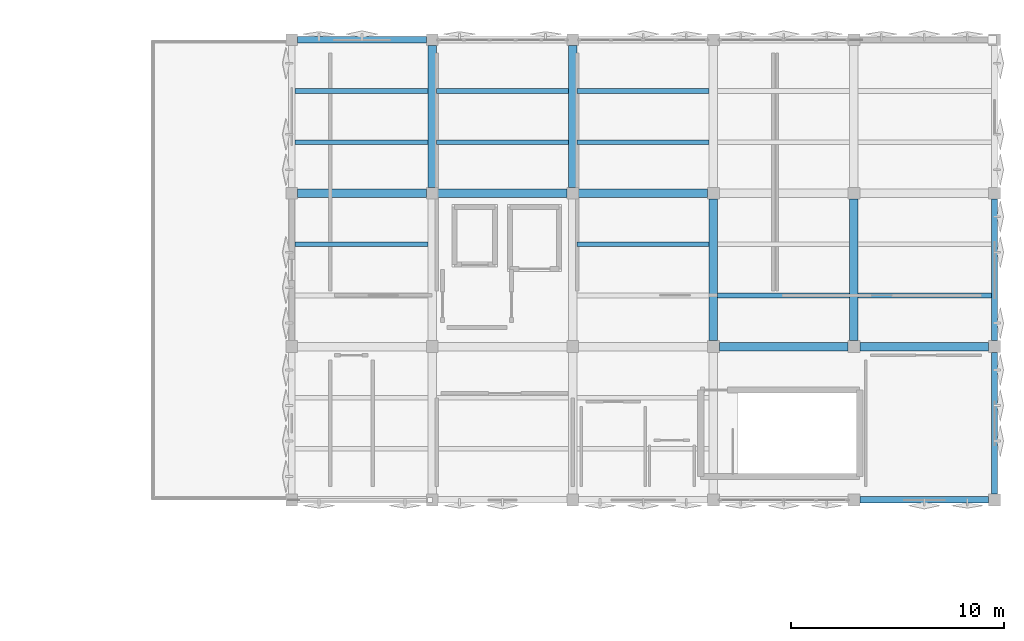
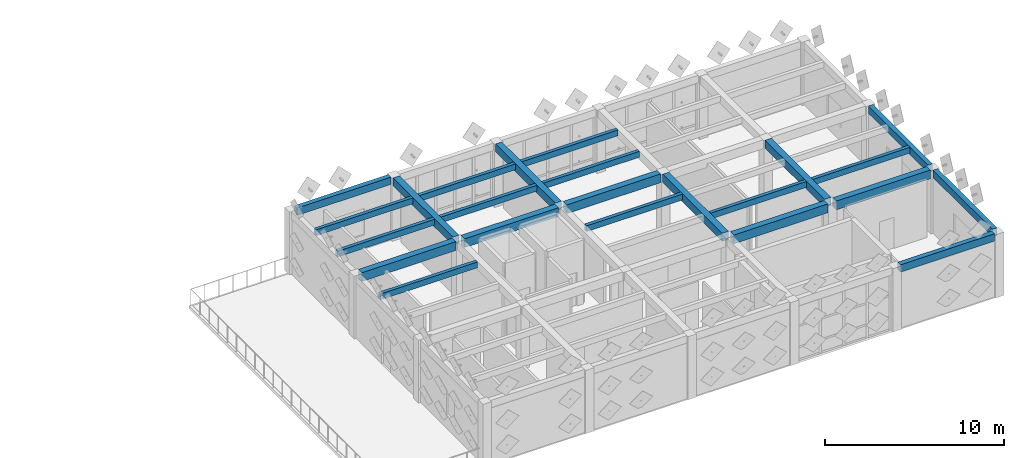
# One storey, part 11 of 29: 23 beams.
"""IFC4 building model written with IfcOpenShell, lengths in metres."""

from ifc_helpers import new_model, si_unit, direction, frame, origin, origin_2d, place, context, subcontext, project, spatial, rectangle, extrude, material, material_profile, profile_set, type_object, element, save


model = new_model("IFC4")

# Units and contexts
model_context = context("Model", 3, precision=1e-05, world=origin(), true_north=direction((0.0, 1.0)))
body_context = subcontext(model_context, "Body", "Model", "MODEL_VIEW")
ifc_project = project(units=[si_unit("LENGTHUNIT", "METRE"), si_unit("AREAUNIT", "SQUARE_METRE"), si_unit("VOLUMEUNIT", "CUBIC_METRE"), si_unit("PLANEANGLEUNIT", "RADIAN"), si_unit("MASSUNIT", "GRAM", prefix="KILO")], contexts=[model_context])

# Site, building, storey
site_placement = place(None, origin())
site = spatial("IfcSite", under=ifc_project, at=site_placement, CompositionType="ELEMENT")
building_placement = place(site_placement, origin())
building = spatial("IfcBuilding", under=site, at=building_placement, Name="Kharisveld Research Institute", CompositionType="ELEMENT")
storey_placement = place(building_placement, frame((0.0, 0.0, 32.10009765625)))
storey = spatial("IfcBuildingStorey", under=building, at=storey_placement, Name="L07", CompositionType="ELEMENT", Elevation=32.10009765625)

# Beams
ifc_material_1 = material(Name="Concrete C40/50", Category="concrete")
ifc_material_profile_1 = material_profile(ifc_material_1, rectangle(XDim=0.39990234375, YDim=0.550048828125, at=origin_2d()))
ifc_profile_set_1 = profile_set([ifc_material_profile_1], Name="Concrete C40/50")
beam_type_1 = type_object("IfcBeamType", Name="BM_RC_400x550", PredefinedType="BEAM", material=ifc_profile_set_1)
for number, where, z_axis, x_axis, name in (
    (1, (134.39990234375, 53.875, 4.02978515625), (0.0, 1.0, 0.0), (-1.0, 0.0, 0.0), "BM:V2:L07:V3_2"),
    (2, (141.0, 53.875, 4.02978515625), (0.0, 1.0, 0.0), (-1.0, 0.0, 0.0), "BM:V2:L07:V4_2"),
    (3, (147.60009765625, 46.675048828125, 4.02978515625), (0.0, 1.0, 0.0), (-1.0, 0.0, 0.0), "BM:V2:L07:V5_1"),
    (4, (154.199951171875, 46.675048828125, 4.02978515625), (0.0, 1.0, 0.0), (-1.0, 0.0, 0.0), "BM:V2:L07:V6_1"),
):
    element("IfcBeam", number, at=place(storey_placement, frame(where, z_axis=z_axis, x_axis=x_axis)), inside=storey, type_object=beam_type_1, Name=name, PredefinedType="BEAM", context=body_context, shape_type="SweptSolid", body=[
        extrude(rectangle(XDim=0.39990234375, YDim=0.550048828125, at=origin_2d()), origin(), (0.0, 0.0, 1.0), 6.64990234375),
    ])
ifc_material_2 = material(Name="Concrete C40/50", Category="concrete")
ifc_material_profile_2 = material_profile(ifc_material_2, rectangle(XDim=0.39990234375, YDim=0.60009765625, at=origin_2d()))
ifc_profile_set_2 = profile_set([ifc_material_profile_2], Name="Concrete C40/50")
beam_type_2 = type_object("IfcBeamType", Name="BM_RC_400x600", PredefinedType="BEAM", material=ifc_profile_set_2)
beam_1_placement = place(storey_placement, frame((147.875, 46.39990234375, 4.0048828125), z_axis=(1.0, 0.0, 0.0), x_axis=(0.0, 1.0, 0.0)))
element("IfcBeam", 5, at=beam_1_placement, inside=storey, type_object=beam_type_2, Name="BM:V2:L07:U5_1", PredefinedType="BEAM", context=body_context, shape_type="SweptSolid", body=[
    extrude(rectangle(XDim=0.39990234375, YDim=0.60009765625, at=origin_2d()), origin(), (0.0, 0.0, 1.0), 6.050048828125),
])
beam_2_placement = place(storey_placement, frame((154.47509765625, 46.39990234375, 4.0048828125), z_axis=(1.0, 0.0, 0.0), x_axis=(0.0, 1.0, 0.0)))
element("IfcBeam", 6, at=beam_2_placement, inside=storey, type_object=beam_type_2, Name="BM:V2:L07:U6_1", PredefinedType="BEAM", context=body_context, shape_type="SweptSolid", body=[
    extrude(rectangle(XDim=0.39990234375, YDim=0.60009765625, at=origin_2d()), origin(), (0.0, 0.0, 1.0), 6.0498046875),
])
for number, where, z_axis, x_axis, name in (
    (7, (128.074951171875, 53.60009765625, 4.0048828125), (1.0, 0.0, 0.0), (0.0, 1.0, 0.0), "BM:V2:L07:U2_2"),
    (8, (134.675048828125, 53.60009765625, 4.0048828125), (1.0, 0.0, 0.0), (0.0, 1.0, 0.0), "BM:V2:L07:U3_2"),
    (9, (141.27490234375, 53.60009765625, 4.0048828125), (1.0, 0.0, 0.0), (0.0, 1.0, 0.0), "BM:V2:L07:U4_2"),
):
    element("IfcBeam", number, at=place(storey_placement, frame(where, z_axis=z_axis, x_axis=x_axis)), inside=storey, type_object=beam_type_2, Name=name, PredefinedType="BEAM", context=body_context, shape_type="SweptSolid", body=[
        extrude(rectangle(XDim=0.39990234375, YDim=0.60009765625, at=origin_2d()), origin(), (0.0, 0.0, 1.0), 6.050048828125),
    ])
ifc_material_3 = material(Name="Concrete C40/50", Category="concrete")
ifc_material_profile_3 = material_profile(ifc_material_3, rectangle(XDim=0.300048828125, YDim=0.5, at=origin_2d()))
ifc_profile_set_3 = profile_set([ifc_material_profile_3], Name="Concrete C40/50")
beam_type_3 = type_object("IfcBeamType", Name="SP_RC_300x500", PredefinedType="SPANDREL", material=ifc_profile_set_3)
beam_3_placement = place(storey_placement, frame((154.47509765625, 39.199951171875, 4.054931640625), z_axis=(1.0, 0.0, 0.0), x_axis=(0.0, 1.0, 0.0)))
element("IfcBeam", 10, at=beam_3_placement, inside=storey, type_object=beam_type_3, Name="BM:V2:L07:U6_0", PredefinedType="SPANDREL", context=body_context, shape_type="SweptSolid", body=[
    extrude(rectangle(XDim=0.300048828125, YDim=0.5, at=origin_2d()), origin(), (0.0, 0.0, 1.0), 6.0498046875),
])
beam_4_placement = place(storey_placement, frame((128.074951171875, 60.800048828125, 4.054931640625), z_axis=(1.0, 0.0, 0.0), x_axis=(0.0, 1.0, 0.0)))
element("IfcBeam", 11, at=beam_4_placement, inside=storey, type_object=beam_type_3, Name="BM:V2:L07:U2_3", PredefinedType="SPANDREL", context=body_context, shape_type="SweptSolid", body=[
    extrude(rectangle(XDim=0.300048828125, YDim=0.5, at=origin_2d()), origin(), (0.0, 0.0, 1.0), 6.050048828125),
])
for number, where, z_axis, x_axis, name in (
    (12, (160.800048828125, 39.47509765625, 4.054931640625), (0.0, 1.0, 0.0), (-1.0, 0.0, 0.0), "BM:V2:L07:V7_0"),
    (13, (160.800048828125, 46.675048828125, 4.054931640625), (0.0, 1.0, 0.0), (-1.0, 0.0, 0.0), "BM:V2:L07:V7_1"),
):
    element("IfcBeam", number, at=place(storey_placement, frame(where, z_axis=z_axis, x_axis=x_axis)), inside=storey, type_object=beam_type_3, Name=name, PredefinedType="SPANDREL", context=body_context, shape_type="SweptSolid", body=[
        extrude(rectangle(XDim=0.300048828125, YDim=0.5, at=origin_2d()), origin(), (0.0, 0.0, 1.0), 6.64990234375),
    ])
ifc_material_4 = material(Name="Concrete C40/50", Category="concrete")
ifc_material_profile_4 = material_profile(ifc_material_4, rectangle(XDim=0.219970703125, YDim=0.39990234375, at=origin_2d()))
ifc_profile_set_4 = profile_set([ifc_material_profile_4], Name="Concrete C40/50")
beam_type_4 = type_object("IfcBeamType", Name="WB_RC_220x400", PredefinedType="JOIST", material=ifc_profile_set_4)
for number, where, z_axis, x_axis, name in (
    (14, (127.949951171875, 51.199951171875, 4.10498046875), (1.0, 0.0, 0.0), (0.0, 1.0, 0.0), "BM:V2:L07:J_2_1_R2"),
    (15, (127.949951171875, 56.0, 4.10498046875), (1.0, 0.0, 0.0), (0.0, 1.0, 0.0), "BM:V2:L07:J_2_2_R1"),
    (16, (127.949951171875, 58.39990234375, 4.10498046875), (1.0, 0.0, 0.0), (0.0, 1.0, 0.0), "BM:V2:L07:J_2_2_R2"),
):
    element("IfcBeam", number, at=place(storey_placement, frame(where, z_axis=z_axis, x_axis=x_axis)), inside=storey, type_object=beam_type_4, Name=name, PredefinedType="JOIST", context=body_context, shape_type="SweptSolid", body=[
        extrude(rectangle(XDim=0.219970703125, YDim=0.39990234375, at=origin_2d()), origin(), (0.0, 0.0, 1.0), 6.25),
    ])
for number, where, z_axis, x_axis, name in (
    (17, (134.60009765625, 56.0, 4.10498046875), (1.0, 0.0, 0.0), (0.0, 1.0, 0.0), "BM:V2:L07:J_3_2_R1"),
    (18, (134.60009765625, 58.39990234375, 4.10498046875), (1.0, 0.0, 0.0), (0.0, 1.0, 0.0), "BM:V2:L07:J_3_2_R2"),
    (19, (141.199951171875, 51.199951171875, 4.10498046875), (1.0, 0.0, 0.0), (0.0, 1.0, 0.0), "BM:V2:L07:J_4_1_R2"),
    (20, (141.199951171875, 56.0, 4.10498046875), (1.0, 0.0, 0.0), (0.0, 1.0, 0.0), "BM:V2:L07:J_4_2_R1"),
    (21, (141.199951171875, 58.39990234375, 4.10498046875), (1.0, 0.0, 0.0), (0.0, 1.0, 0.0), "BM:V2:L07:J_4_2_R2"),
    (22, (147.800048828125, 48.800048828125, 4.10498046875), (1.0, 0.0, 0.0), (0.0, 1.0, 0.0), "BM:V2:L07:J_5_1_R1"),
):
    element("IfcBeam", number, at=place(storey_placement, frame(where, z_axis=z_axis, x_axis=x_axis)), inside=storey, type_object=beam_type_4, Name=name, PredefinedType="JOIST", context=body_context, shape_type="SweptSolid", body=[
        extrude(rectangle(XDim=0.219970703125, YDim=0.39990234375, at=origin_2d()), origin(), (0.0, 0.0, 1.0), 6.199951171875),
    ])
beam_5_placement = place(storey_placement, frame((154.39990234375, 48.800048828125, 4.10498046875), z_axis=(1.0, 0.0, 0.0), x_axis=(0.0, 1.0, 0.0)))
element("IfcBeam", 23, at=beam_5_placement, inside=storey, type_object=beam_type_4, Name="BM:V2:L07:J_6_1_R1", PredefinedType="JOIST", context=body_context, shape_type="SweptSolid", body=[
    extrude(rectangle(XDim=0.219970703125, YDim=0.39990234375, at=origin_2d()), origin(), (0.0, 0.0, 1.0), 6.25),
])

save(model, "model.ifc")
